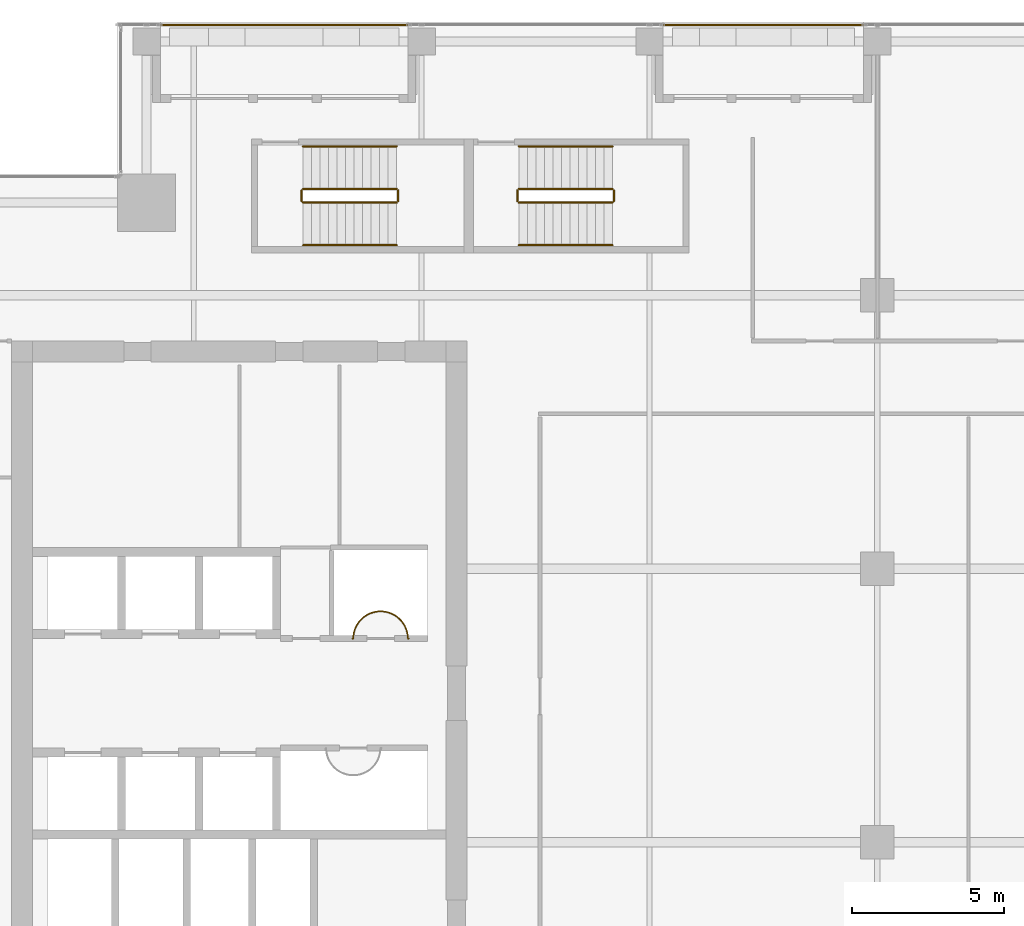
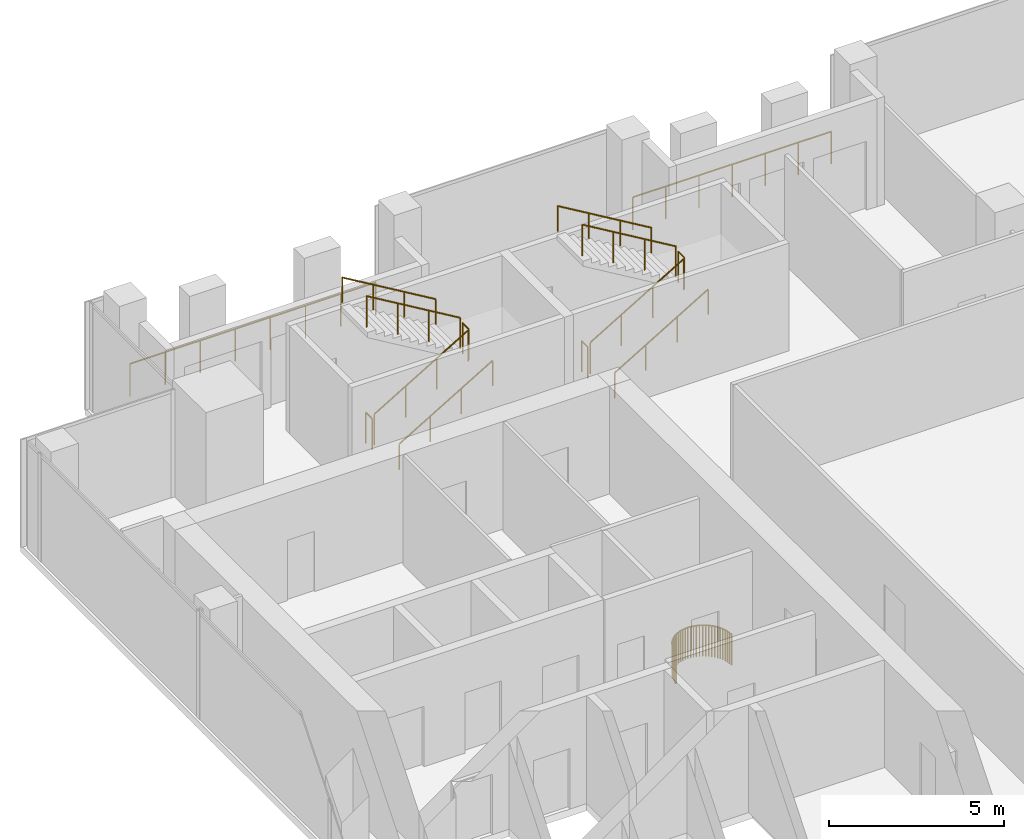
# One storey, part 34 of 35: 15 railings.
"""IFC4 building model written with IfcOpenShell, lengths in metres."""

from ifc_helpers import new_model, si_unit, direction, frame, origin, origin_2d, place, context, subcontext, project, spatial, circle, extrude, source, transform, mapped, material, type_object, element, save


model = new_model("IFC4")

# Units and contexts
model_context = context("Model", 3, precision=1e-05, world=origin(), true_north=direction((0.0, 1.0)))
body_context = subcontext(model_context, "Body", "Model", "MODEL_VIEW")
ifc_project = project(units=[si_unit("LENGTHUNIT", "METRE"), si_unit("AREAUNIT", "SQUARE_METRE"), si_unit("VOLUMEUNIT", "CUBIC_METRE"), si_unit("PLANEANGLEUNIT", "RADIAN"), si_unit("MASSUNIT", "GRAM", prefix="KILO")], contexts=[model_context])

# Site, building, storey
site_placement = place(None, origin())
site = spatial("IfcSite", under=ifc_project, at=site_placement, CompositionType="ELEMENT")
building_placement = place(site_placement, origin())
building = spatial("IfcBuilding", under=site, at=building_placement, Name="Khomas Fold Tower", CompositionType="ELEMENT")
storey_placement = place(building_placement, frame((0.0, 0.0, 270.199951171875)))
storey = spatial("IfcBuildingStorey", under=building, at=storey_placement, Name="L61", CompositionType="ELEMENT", Elevation=270.199951171875)

# Railings
ifc_material_1 = material(Name="Powder-coated steel", Category="steel")
railing_type_1 = type_object("IfcRailingType", Name="Balcony guard", PredefinedType="GUARDRAIL", material=ifc_material_1)
shared_shape_1 = source(origin(), body_context, "Body", "SweptSolid", [
    extrude(circle(Radius=0.02490234375, at=origin_2d()), frame((0.0, 0.0, 1.125), z_axis=(1.0, 0.0, 0.0), x_axis=(0.0, 1.0, 0.0)), (0.0, 0.0, 1.0), 8.090087890625),
    extrude(circle(Radius=0.02001953125, at=origin_2d()), origin(), (0.0, 0.0, 1.0), 1.099853515625),
    extrude(circle(Radius=0.02001953125, at=origin_2d()), frame((1.15576171875, 0.0, 0.0)), (0.0, 0.0, 1.0), 1.099853515625),
    extrude(circle(Radius=0.02001953125, at=origin_2d()), frame((2.3115234375, 0.0, 0.0)), (0.0, 0.0, 1.0), 1.099853515625),
    extrude(circle(Radius=0.02001953125, at=origin_2d()), frame((3.46728515625, 0.0, 0.0)), (0.0, 0.0, 1.0), 1.099853515625),
    extrude(circle(Radius=0.02001953125, at=origin_2d()), frame((4.622802734375, 0.0, 0.0)), (0.0, 0.0, 1.0), 1.099853515625),
    extrude(circle(Radius=0.02001953125, at=origin_2d()), frame((5.778564453125, 0.0, 0.0)), (0.0, 0.0, 1.0), 1.099853515625),
    extrude(circle(Radius=0.02001953125, at=origin_2d()), frame((6.934326171875, 0.0, 0.0)), (0.0, 0.0, 1.0), 1.099853515625),
    extrude(circle(Radius=0.02001953125, at=origin_2d()), frame((8.090087890625, 0.0, 0.0)), (0.0, 0.0, 1.0), 1.099853515625),
])
railing_1_placement = place(storey_placement, frame((10.929931640625, 49.39990234375, -0.044921875)))
element("IfcRailing", 1, at=railing_1_placement, inside=storey, type_object=railing_type_1, Name="Balcony guard BAL-L61-N1", PredefinedType="GUARDRAIL", context=body_context, shape_type="MappedRepresentation", body=[
    mapped(shared_shape_1, transform((0.0, 0.0, 0.0))),
])
shared_shape_2 = source(origin(), body_context, "Body", "SweptSolid", [
    extrude(circle(Radius=0.02490234375, at=origin_2d()), frame((0.0, 0.0, 1.125), z_axis=(1.0, 0.0, 0.0), x_axis=(0.0, 1.0, 0.0)), (0.0, 0.0, 1.0), 6.5400390625),
    extrude(circle(Radius=0.02001953125, at=origin_2d()), origin(), (0.0, 0.0, 1.0), 1.099853515625),
    extrude(circle(Radius=0.02001953125, at=origin_2d()), frame((1.090087890625, 0.0, 0.0)), (0.0, 0.0, 1.0), 1.099853515625),
    extrude(circle(Radius=0.02001953125, at=origin_2d()), frame((2.179931640625, 0.0, 0.0)), (0.0, 0.0, 1.0), 1.099853515625),
    extrude(circle(Radius=0.02001953125, at=origin_2d()), frame((3.27001953125, 0.0, 0.0)), (0.0, 0.0, 1.0), 1.099853515625),
    extrude(circle(Radius=0.02001953125, at=origin_2d()), frame((4.360107421875, 0.0, 0.0)), (0.0, 0.0, 1.0), 1.099853515625),
    extrude(circle(Radius=0.02001953125, at=origin_2d()), frame((5.449951171875, 0.0, 0.0)), (0.0, 0.0, 1.0), 1.099853515625),
    extrude(circle(Radius=0.02001953125, at=origin_2d()), frame((6.5400390625, 0.0, 0.0)), (0.0, 0.0, 1.0), 1.099853515625),
])
railing_2_placement = place(storey_placement, frame((27.47998046875, 49.39990234375, -0.044921875)))
element("IfcRailing", 2, at=railing_2_placement, inside=storey, type_object=railing_type_1, Name="Balcony guard BAL-L61-N3", PredefinedType="GUARDRAIL", context=body_context, shape_type="MappedRepresentation", body=[
    mapped(shared_shape_2, transform((0.0, 0.0, 0.0))),
])
ifc_material_2 = material(Name="Steel balustrade", Category="steel")
railing_type_2 = type_object("IfcRailingType", Name="Stair guard", PredefinedType="GUARDRAIL", material=ifc_material_2)
shared_shape_3 = source(origin(), body_context, "Body", "SweptSolid", [
    extrude(circle(Radius=0.02392578125, at=origin_2d()), frame((0.0, 0.0, 1.076171875), z_axis=(0.0, 1.0, 0.0), x_axis=(-1.0, 0.0, 0.0)), (0.0, 0.0, 1.0), 0.349853515625),
    extrude(circle(Radius=0.02099609375, at=origin_2d()), origin(), (0.0, 0.0, 1.0), 1.052001953125),
    extrude(circle(Radius=0.02099609375, at=origin_2d()), frame((0.0, 0.349853515625, 0.0)), (0.0, 0.0, 1.0), 1.052001953125),
])
for number, where, name in (
    (3, (18.72998046875, 43.60009765625, 2.0), "L61 ST1 stair guard 2"),
    (4, (15.550048828125, 43.60009765625, 0.0), "L61 ST1 stair guard 4"),
    (5, (25.830078125, 43.60009765625, 2.0), "L61 ST3 stair guard 2"),
    (6, (22.64990234375, 43.60009765625, 0.0), "L61 ST3 stair guard 4"),
):
    element("IfcRailing", number, at=place(storey_placement, frame(where)), inside=storey, type_object=railing_type_2, Name=name, PredefinedType="GUARDRAIL", context=body_context, shape_type="MappedRepresentation", body=[
        mapped(shared_shape_3, transform((0.0, 0.0, 0.0))),
    ])
shared_shape_4 = source(origin(), body_context, "Body", "SweptSolid", [
    extrude(circle(Radius=0.02392578125, at=origin_2d()), frame((0.0, 0.0, 1.076171875), z_axis=(0.859290745958, 0.0, 0.51148745235), x_axis=(0.0, 1.0, 0.0)), (0.0, 0.0, 1.0), 3.584228515625),
    extrude(circle(Radius=0.02099609375, at=origin_2d()), origin(), (0.0, 0.0, 1.0), 1.052001953125),
    extrude(circle(Radius=0.02099609375, at=origin_2d()), frame((1.026611328125, 0.0, 0.611083984375)), (0.0, 0.0, 1.0), 1.052001953125),
    extrude(circle(Radius=0.02099609375, at=origin_2d()), frame((2.05322265625, 0.0, 1.22216796875)), (0.0, 0.0, 1.0), 1.052001953125),
    extrude(circle(Radius=0.02099609375, at=origin_2d()), frame((3.079833984375, 0.0, 1.833251953125)), (0.0, 0.0, 1.0), 1.052001953125),
])
railing_3_placement = place(storey_placement, frame((15.60009765625, 43.550048828125, 0.166748046875)))
element("IfcRailing", 7, at=railing_3_placement, inside=storey, type_object=railing_type_2, Name="L61 ST1 stair guard 1", PredefinedType="GUARDRAIL", context=body_context, shape_type="MappedRepresentation", body=[
    mapped(shared_shape_4, transform((0.0, 0.0, 0.0))),
])
shared_shape_5 = source(origin(), body_context, "Body", "SweptSolid", [
    extrude(circle(Radius=0.02392578125, at=origin_2d()), frame((0.0, 0.0, 1.076171875), z_axis=(-0.859290745958, 0.0, 0.51148745235), x_axis=(0.0, -1.0, 0.0)), (0.0, 0.0, 1.0), 3.584228515625),
    extrude(circle(Radius=0.02099609375, at=origin_2d()), origin(), (0.0, 0.0, 1.0), 1.052001953125),
    extrude(circle(Radius=0.02099609375, at=origin_2d()), frame((-1.026611328125, 0.0, 0.611083984375)), (0.0, 0.0, 1.0), 1.052001953125),
    extrude(circle(Radius=0.02099609375, at=origin_2d()), frame((-2.05322265625, 0.0, 1.22216796875)), (0.0, 0.0, 1.0), 1.052001953125),
    extrude(circle(Radius=0.02099609375, at=origin_2d()), frame((-3.079833984375, 0.0, 1.833251953125)), (0.0, 0.0, 1.0), 1.052001953125),
])
railing_4_placement = place(storey_placement, frame((18.679931640625, 44.0, 2.166748046875)))
element("IfcRailing", 8, at=railing_4_placement, inside=storey, type_object=railing_type_2, Name="L61 ST1 stair guard 3", PredefinedType="GUARDRAIL", context=body_context, shape_type="MappedRepresentation", body=[
    mapped(shared_shape_5, transform((0.0, 0.0, 0.0))),
])
ifc_material_3 = material(Name="Steel handrail", Category="steel")
railing_type_3 = type_object("IfcRailingType", Name="Stair handrail", PredefinedType="HANDRAIL", material=ifc_material_3)
shared_shape_6 = source(origin(), body_context, "Body", "SweptSolid", [
    extrude(circle(Radius=0.02392578125, at=origin_2d()), frame((0.0, 0.0, 0.8759765625), z_axis=(0.859290745958, 0.0, 0.51148745235), x_axis=(0.0, 1.0, 0.0)), (0.0, 0.0, 1.0), 3.584228515625),
    extrude(circle(Radius=0.02099609375, at=origin_2d()), origin(), (0.0, 0.0, 1.0), 0.851806640625),
    extrude(circle(Radius=0.02099609375, at=origin_2d()), frame((1.026611328125, 0.0, 0.611083984375)), (0.0, 0.0, 1.0), 0.851806640625),
    extrude(circle(Radius=0.02099609375, at=origin_2d()), frame((2.05322265625, 0.0, 1.22216796875)), (0.0, 0.0, 1.0), 0.851806640625),
    extrude(circle(Radius=0.02099609375, at=origin_2d()), frame((3.079833984375, 0.0, 1.833251953125)), (0.0, 0.0, 1.0), 0.851806640625),
])
railing_5_placement = place(storey_placement, frame((15.60009765625, 42.14990234375, 0.166748046875)))
element("IfcRailing", 9, at=railing_5_placement, inside=storey, type_object=railing_type_3, Name="L61 ST1 stair handrail 1", PredefinedType="HANDRAIL", context=body_context, shape_type="MappedRepresentation", body=[
    mapped(shared_shape_6, transform((0.0, 0.0, 0.0))),
])
shared_shape_7 = source(origin(), body_context, "Body", "SweptSolid", [
    extrude(circle(Radius=0.02392578125, at=origin_2d()), frame((0.0, 0.0, 0.8759765625), z_axis=(-0.859290745958, 0.0, 0.51148745235), x_axis=(0.0, -1.0, 0.0)), (0.0, 0.0, 1.0), 3.584228515625),
    extrude(circle(Radius=0.02099609375, at=origin_2d()), origin(), (0.0, 0.0, 1.0), 0.851806640625),
    extrude(circle(Radius=0.02099609375, at=origin_2d()), frame((-1.026611328125, 0.0, 0.611083984375)), (0.0, 0.0, 1.0), 0.851806640625),
    extrude(circle(Radius=0.02099609375, at=origin_2d()), frame((-2.05322265625, 0.0, 1.22216796875)), (0.0, 0.0, 1.0), 0.851806640625),
    extrude(circle(Radius=0.02099609375, at=origin_2d()), frame((-3.079833984375, 0.0, 1.833251953125)), (0.0, 0.0, 1.0), 0.851806640625),
])
railing_6_placement = place(storey_placement, frame((18.679931640625, 45.39990234375, 2.166748046875)))
element("IfcRailing", 10, at=railing_6_placement, inside=storey, type_object=railing_type_3, Name="L61 ST1 stair handrail 2", PredefinedType="HANDRAIL", context=body_context, shape_type="MappedRepresentation", body=[
    mapped(shared_shape_7, transform((0.0, 0.0, 0.0))),
])
shared_shape_8 = source(origin(), body_context, "Body", "SweptSolid", [
    extrude(circle(Radius=0.02392578125, at=origin_2d()), frame((0.0, 0.0, 1.076171875), z_axis=(0.859308565015, 0.0, 0.511457515432), x_axis=(0.0, 1.0, 0.0)), (0.0, 0.0, 1.0), 3.58447265625),
    extrude(circle(Radius=0.02099609375, at=origin_2d()), origin(), (0.0, 0.0, 1.0), 1.052001953125),
    extrude(circle(Radius=0.02099609375, at=origin_2d()), frame((1.026611328125, 0.0, 0.611083984375)), (0.0, 0.0, 1.0), 1.052001953125),
    extrude(circle(Radius=0.02099609375, at=origin_2d()), frame((2.053466796875, 0.0, 1.22216796875)), (0.0, 0.0, 1.0), 1.052001953125),
    extrude(circle(Radius=0.02099609375, at=origin_2d()), frame((3.080078125, 0.0, 1.833251953125)), (0.0, 0.0, 1.0), 1.052001953125),
])
railing_7_placement = place(storey_placement, frame((22.699951171875, 43.550048828125, 0.166748046875)))
element("IfcRailing", 11, at=railing_7_placement, inside=storey, type_object=railing_type_2, Name="L61 ST3 stair guard 1", PredefinedType="GUARDRAIL", context=body_context, shape_type="MappedRepresentation", body=[
    mapped(shared_shape_8, transform((0.0, 0.0, 0.0))),
])
shared_shape_9 = source(origin(), body_context, "Body", "SweptSolid", [
    extrude(circle(Radius=0.02392578125, at=origin_2d()), frame((0.0, 0.0, 1.076171875), z_axis=(-0.859308565015, 0.0, 0.511457515432), x_axis=(0.0, -1.0, 0.0)), (0.0, 0.0, 1.0), 3.58447265625),
    extrude(circle(Radius=0.02099609375, at=origin_2d()), origin(), (0.0, 0.0, 1.0), 1.052001953125),
    extrude(circle(Radius=0.02099609375, at=origin_2d()), frame((-1.026611328125, 0.0, 0.611083984375)), (0.0, 0.0, 1.0), 1.052001953125),
    extrude(circle(Radius=0.02099609375, at=origin_2d()), frame((-2.053466796875, 0.0, 1.22216796875)), (0.0, 0.0, 1.0), 1.052001953125),
    extrude(circle(Radius=0.02099609375, at=origin_2d()), frame((-3.080078125, 0.0, 1.833251953125)), (0.0, 0.0, 1.0), 1.052001953125),
])
railing_8_placement = place(storey_placement, frame((25.780029296875, 44.0, 2.166748046875)))
element("IfcRailing", 12, at=railing_8_placement, inside=storey, type_object=railing_type_2, Name="L61 ST3 stair guard 3", PredefinedType="GUARDRAIL", context=body_context, shape_type="MappedRepresentation", body=[
    mapped(shared_shape_9, transform((0.0, 0.0, 0.0))),
])
shared_shape_10 = source(origin(), body_context, "Body", "SweptSolid", [
    extrude(circle(Radius=0.02392578125, at=origin_2d()), frame((0.0, 0.0, 0.8759765625), z_axis=(0.859308565015, 0.0, 0.511457515432), x_axis=(0.0, 1.0, 0.0)), (0.0, 0.0, 1.0), 3.58447265625),
    extrude(circle(Radius=0.02099609375, at=origin_2d()), origin(), (0.0, 0.0, 1.0), 0.851806640625),
    extrude(circle(Radius=0.02099609375, at=origin_2d()), frame((1.026611328125, 0.0, 0.611083984375)), (0.0, 0.0, 1.0), 0.851806640625),
    extrude(circle(Radius=0.02099609375, at=origin_2d()), frame((2.053466796875, 0.0, 1.22216796875)), (0.0, 0.0, 1.0), 0.851806640625),
    extrude(circle(Radius=0.02099609375, at=origin_2d()), frame((3.080078125, 0.0, 1.833251953125)), (0.0, 0.0, 1.0), 0.851806640625),
])
railing_9_placement = place(storey_placement, frame((22.699951171875, 42.14990234375, 0.166748046875)))
element("IfcRailing", 13, at=railing_9_placement, inside=storey, type_object=railing_type_3, Name="L61 ST3 stair handrail 1", PredefinedType="HANDRAIL", context=body_context, shape_type="MappedRepresentation", body=[
    mapped(shared_shape_10, transform((0.0, 0.0, 0.0))),
])
shared_shape_11 = source(origin(), body_context, "Body", "SweptSolid", [
    extrude(circle(Radius=0.02392578125, at=origin_2d()), frame((0.0, 0.0, 0.8759765625), z_axis=(-0.859308565015, 0.0, 0.511457515432), x_axis=(0.0, -1.0, 0.0)), (0.0, 0.0, 1.0), 3.58447265625),
    extrude(circle(Radius=0.02099609375, at=origin_2d()), origin(), (0.0, 0.0, 1.0), 0.851806640625),
    extrude(circle(Radius=0.02099609375, at=origin_2d()), frame((-1.026611328125, 0.0, 0.611083984375)), (0.0, 0.0, 1.0), 0.851806640625),
    extrude(circle(Radius=0.02099609375, at=origin_2d()), frame((-2.053466796875, 0.0, 1.22216796875)), (0.0, 0.0, 1.0), 0.851806640625),
    extrude(circle(Radius=0.02099609375, at=origin_2d()), frame((-3.080078125, 0.0, 1.833251953125)), (0.0, 0.0, 1.0), 0.851806640625),
])
railing_10_placement = place(storey_placement, frame((25.780029296875, 45.39990234375, 2.166748046875)))
element("IfcRailing", 14, at=railing_10_placement, inside=storey, type_object=railing_type_3, Name="L61 ST3 stair handrail 2", PredefinedType="HANDRAIL", context=body_context, shape_type="MappedRepresentation", body=[
    mapped(shared_shape_11, transform((0.0, 0.0, 0.0))),
])
ifc_material_4 = material(Name="Steel balustrade", Category="steel")
railing_type_4 = type_object("IfcRailingType", Name="Shaft guard", PredefinedType="GUARDRAIL", material=ifc_material_4)
shared_shape_12 = source(origin(), body_context, "Body", "SweptSolid", [
    extrude(circle(Radius=0.02490234375, at=origin_2d()), frame((0.0, 0.0, 1.0751953125), z_axis=(-1.0, 0.0, 0.0), x_axis=(0.0, -1.0, 0.0)), (0.0, 0.0, 1.0), 0.030029296875),
    extrude(circle(Radius=0.02490234375, at=origin_2d()), frame((-0.030029296875, 0.0, 1.0751953125), z_axis=(-0.049799629132, 0.998759228712, 0.0), x_axis=(-0.998759228712, -0.049799629132, 0.0)), (0.0, 0.0, 1.0), 0.088134765625),
    extrude(circle(Radius=0.02490234375, at=origin_2d()), frame((-0.034423828125, 0.088134765625, 1.0751953125), z_axis=(-0.146448518259, 0.989218293148, 0.0), x_axis=(-0.989218293148, -0.146448518259, 0.0)), (0.0, 0.0, 1.0), 0.08837890625),
    extrude(circle(Radius=0.02490234375, at=origin_2d()), frame((-0.04736328125, 0.175537109375, 1.0751953125), z_axis=(-0.243185799972, 0.969979724887, 0.0), x_axis=(-0.969979724887, -0.243185799972, 0.0)), (0.0, 0.0, 1.0), 0.08837890625),
    extrude(circle(Radius=0.02490234375, at=origin_2d()), frame((-0.06884765625, 0.26123046875, 1.0751953125), z_axis=(-0.336861089454, 0.941554356589, 0.0), x_axis=(-0.941554356589, -0.336861089454, 0.0)), (0.0, 0.0, 1.0), 0.08837890625),
    extrude(circle(Radius=0.02490234375, at=origin_2d()), frame((-0.0986328125, 0.344482421875, 1.0751953125), z_axis=(-0.428323905606, 0.903625271828, 0.0), x_axis=(-0.903625271828, -0.428323905606, 0.0)), (0.0, 0.0, 1.0), 0.08837890625),
    extrude(circle(Radius=0.02490234375, at=origin_2d()), frame((-0.136474609375, 0.42431640625, 1.0751953125), z_axis=(-0.514495755428, 0.857492925713, 0.0), x_axis=(-0.857492925713, -0.514495755428, 0.0)), (0.0, 0.0, 1.0), 0.08837890625),
    extrude(circle(Radius=0.02490234375, at=origin_2d()), frame((-0.181884765625, 0.5, 1.0751953125), z_axis=(-0.594235623595, 0.804291006819, 0.0), x_axis=(-0.804291006819, -0.594235623595, 0.0)), (0.0, 0.0, 1.0), 0.08837890625),
    extrude(circle(Radius=0.02490234375, at=origin_2d()), frame((-0.234375, 0.571044921875, 1.0751953125), z_axis=(-0.671709119666, 0.740814996175, 0.0), x_axis=(-0.740814996175, -0.671709119666, 0.0)), (0.0, 0.0, 1.0), 0.08837890625),
    extrude(circle(Radius=0.02490234375, at=origin_2d()), frame((-0.293701171875, 0.636474609375, 1.0751953125), z_axis=(-0.740814996175, 0.671709119666, 0.0), x_axis=(-0.671709119666, -0.740814996175, 0.0)), (0.0, 0.0, 1.0), 0.08837890625),
    extrude(circle(Radius=0.02490234375, at=origin_2d()), frame((-0.359130859375, 0.69580078125, 1.0751953125), z_axis=(-0.804291006819, 0.594235623595, 0.0), x_axis=(-0.594235623595, -0.804291006819, 0.0)), (0.0, 0.0, 1.0), 0.08837890625),
    extrude(circle(Radius=0.02490234375, at=origin_2d()), frame((-0.43017578125, 0.748291015625, 1.0751953125), z_axis=(-0.857492925713, 0.514495755428, 0.0), x_axis=(-0.514495755428, -0.857492925713, 0.0)), (0.0, 0.0, 1.0), 0.08837890625),
    extrude(circle(Radius=0.02490234375, at=origin_2d()), frame((-0.505859375, 0.793701171875, 1.0751953125), z_axis=(-0.903625271828, 0.428323905606, 0.0), x_axis=(-0.428323905606, -0.903625271828, 0.0)), (0.0, 0.0, 1.0), 0.08837890625),
    extrude(circle(Radius=0.02490234375, at=origin_2d()), frame((-0.585693359375, 0.83154296875, 1.0751953125), z_axis=(-0.941239807302, 0.337738989679, 0.0), x_axis=(-0.337738989679, -0.941239807302, 0.0)), (0.0, 0.0, 1.0), 0.088134765625),
    extrude(circle(Radius=0.02490234375, at=origin_2d()), frame((-0.668701171875, 0.861328125, 1.0751953125), z_axis=(-0.969979724887, 0.243185799972, 0.0), x_axis=(-0.243185799972, -0.969979724887, 0.0)), (0.0, 0.0, 1.0), 0.08837890625),
    extrude(circle(Radius=0.02490234375, at=origin_2d()), frame((-0.75439453125, 0.8828125, 1.0751953125), z_axis=(-0.989218293148, 0.146448518259, 0.0), x_axis=(-0.146448518259, -0.989218293148, 0.0)), (0.0, 0.0, 1.0), 0.08837890625),
    extrude(circle(Radius=0.02490234375, at=origin_2d()), frame((-0.841796875, 0.895751953125, 1.0751953125), z_axis=(-0.998766061669, 0.049662400856, 0.0), x_axis=(-0.049662400856, -0.998766061669, 0.0)), (0.0, 0.0, 1.0), 0.08837890625),
    extrude(circle(Radius=0.02490234375, at=origin_2d()), frame((-0.93017578125, 0.900146484375, 1.0751953125), z_axis=(-0.998759228712, -0.049799629132, 0.0), x_axis=(0.049799629132, -0.998759228712, 0.0)), (0.0, 0.0, 1.0), 0.088134765625),
    extrude(circle(Radius=0.02490234375, at=origin_2d()), frame((-1.018310546875, 0.895751953125, 1.0751953125), z_axis=(-0.989218293148, -0.146448518259, 0.0), x_axis=(0.146448518259, -0.989218293148, 0.0)), (0.0, 0.0, 1.0), 0.08837890625),
    extrude(circle(Radius=0.02490234375, at=origin_2d()), frame((-1.105712890625, 0.8828125, 1.0751953125), z_axis=(-0.969979724887, -0.243185799972, 0.0), x_axis=(0.243185799972, -0.969979724887, 0.0)), (0.0, 0.0, 1.0), 0.08837890625),
    extrude(circle(Radius=0.02490234375, at=origin_2d()), frame((-1.19140625, 0.861328125, 1.0751953125), z_axis=(-0.941239807302, -0.337738989679, 0.0), x_axis=(0.337738989679, -0.941239807302, 0.0)), (0.0, 0.0, 1.0), 0.088134765625),
    extrude(circle(Radius=0.02490234375, at=origin_2d()), frame((-1.2744140625, 0.83154296875, 1.0751953125), z_axis=(-0.904130352346, -0.427256721383, 0.0), x_axis=(0.427256721383, -0.904130352346, 0.0)), (0.0, 0.0, 1.0), 0.088623046875),
    extrude(circle(Radius=0.02490234375, at=origin_2d()), frame((-1.3544921875, 0.793701171875, 1.0751953125), z_axis=(-0.857492925713, -0.514495755428, 0.0), x_axis=(0.514495755428, -0.857492925713, 0.0)), (0.0, 0.0, 1.0), 0.08837890625),
    extrude(circle(Radius=0.02490234375, at=origin_2d()), frame((-1.43017578125, 0.748291015625, 1.0751953125), z_axis=(-0.803311771616, -0.595558727233, 0.0), x_axis=(0.595558727233, -0.803311771616, 0.0)), (0.0, 0.0, 1.0), 0.088134765625),
    extrude(circle(Radius=0.02490234375, at=origin_2d()), frame((-1.5009765625, 0.69580078125, 1.0751953125), z_axis=(-0.740814996175, -0.671709119666, 0.0), x_axis=(0.671709119666, -0.740814996175, 0.0)), (0.0, 0.0, 1.0), 0.08837890625),
    extrude(circle(Radius=0.02490234375, at=origin_2d()), frame((-1.56640625, 0.636474609375, 1.0751953125), z_axis=(-0.671709119666, -0.740814996175, 0.0), x_axis=(0.740814996175, -0.671709119666, 0.0)), (0.0, 0.0, 1.0), 0.08837890625),
    extrude(circle(Radius=0.02490234375, at=origin_2d()), frame((-1.625732421875, 0.571044921875, 1.0751953125), z_axis=(-0.596019138224, -0.802970227885, 0.0), x_axis=(0.802970227885, -0.596019138224, 0.0)), (0.0, 0.0, 1.0), 0.08837890625),
    extrude(circle(Radius=0.02490234375, at=origin_2d()), frame((-1.678466796875, 0.5, 1.0751953125), z_axis=(-0.514495755428, -0.857492925713, 0.0), x_axis=(0.857492925713, -0.514495755428, 0.0)), (0.0, 0.0, 1.0), 0.08837890625),
    extrude(circle(Radius=0.02490234375, at=origin_2d()), frame((-1.723876953125, 0.42431640625, 1.0751953125), z_axis=(-0.426063493689, -0.904693262573, 0.0), x_axis=(0.904693262573, -0.426063493689, 0.0)), (0.0, 0.0, 1.0), 0.088134765625),
    extrude(circle(Radius=0.02490234375, at=origin_2d()), frame((-1.761474609375, 0.344482421875, 1.0751953125), z_axis=(-0.336861089454, -0.941554356589, 0.0), x_axis=(0.941554356589, -0.336861089454, 0.0)), (0.0, 0.0, 1.0), 0.08837890625),
    extrude(circle(Radius=0.02490234375, at=origin_2d()), frame((-1.791259765625, 0.26123046875, 1.0751953125), z_axis=(-0.243185799972, -0.969979724887, 0.0), x_axis=(0.969979724887, -0.243185799972, 0.0)), (0.0, 0.0, 1.0), 0.08837890625),
    extrude(circle(Radius=0.02490234375, at=origin_2d()), frame((-1.812744140625, 0.175537109375, 1.0751953125), z_axis=(-0.146448518259, -0.989218293148, 0.0), x_axis=(0.989218293148, -0.146448518259, 0.0)), (0.0, 0.0, 1.0), 0.08837890625),
    extrude(circle(Radius=0.02490234375, at=origin_2d()), frame((-1.82568359375, 0.088134765625, 1.0751953125), z_axis=(-0.049799629132, -0.998759228712, 0.0), x_axis=(0.998759228712, -0.049799629132, 0.0)), (0.0, 0.0, 1.0), 0.088134765625),
    extrude(circle(Radius=0.02490234375, at=origin_2d()), frame((-1.830078125, 0.0, 1.0751953125), z_axis=(-1.0, 0.0, 0.0), x_axis=(0.0, -1.0, 0.0)), (0.0, 0.0, 1.0), 0.030029296875),
    extrude(circle(Radius=0.02001953125, at=origin_2d()), origin(), (0.0, 0.0, 1.0), 1.050048828125),
    extrude(circle(Radius=0.02001953125, at=origin_2d()), frame((-0.030029296875, 0.0, 0.0)), (0.0, 0.0, 1.0), 1.050048828125),
    extrude(circle(Radius=0.02001953125, at=origin_2d()), frame((-0.034423828125, 0.088134765625, 0.0)), (0.0, 0.0, 1.0), 1.050048828125),
    extrude(circle(Radius=0.02001953125, at=origin_2d()), frame((-0.04736328125, 0.175537109375, 0.0)), (0.0, 0.0, 1.0), 1.050048828125),
    extrude(circle(Radius=0.02001953125, at=origin_2d()), frame((-0.06884765625, 0.26123046875, 0.0)), (0.0, 0.0, 1.0), 1.050048828125),
    extrude(circle(Radius=0.02001953125, at=origin_2d()), frame((-0.0986328125, 0.344482421875, 0.0)), (0.0, 0.0, 1.0), 1.050048828125),
    extrude(circle(Radius=0.02001953125, at=origin_2d()), frame((-0.136474609375, 0.42431640625, 0.0)), (0.0, 0.0, 1.0), 1.050048828125),
    extrude(circle(Radius=0.02001953125, at=origin_2d()), frame((-0.181884765625, 0.5, 0.0)), (0.0, 0.0, 1.0), 1.050048828125),
    extrude(circle(Radius=0.02001953125, at=origin_2d()), frame((-0.234375, 0.571044921875, 0.0)), (0.0, 0.0, 1.0), 1.050048828125),
    extrude(circle(Radius=0.02001953125, at=origin_2d()), frame((-0.293701171875, 0.636474609375, 0.0)), (0.0, 0.0, 1.0), 1.050048828125),
    extrude(circle(Radius=0.02001953125, at=origin_2d()), frame((-0.359130859375, 0.69580078125, 0.0)), (0.0, 0.0, 1.0), 1.050048828125),
    extrude(circle(Radius=0.02001953125, at=origin_2d()), frame((-0.43017578125, 0.748291015625, 0.0)), (0.0, 0.0, 1.0), 1.050048828125),
    extrude(circle(Radius=0.02001953125, at=origin_2d()), frame((-0.505859375, 0.793701171875, 0.0)), (0.0, 0.0, 1.0), 1.050048828125),
    extrude(circle(Radius=0.02001953125, at=origin_2d()), frame((-0.585693359375, 0.83154296875, 0.0)), (0.0, 0.0, 1.0), 1.050048828125),
    extrude(circle(Radius=0.02001953125, at=origin_2d()), frame((-0.668701171875, 0.861328125, 0.0)), (0.0, 0.0, 1.0), 1.050048828125),
    extrude(circle(Radius=0.02001953125, at=origin_2d()), frame((-0.75439453125, 0.8828125, 0.0)), (0.0, 0.0, 1.0), 1.050048828125),
    extrude(circle(Radius=0.02001953125, at=origin_2d()), frame((-0.841796875, 0.895751953125, 0.0)), (0.0, 0.0, 1.0), 1.050048828125),
    extrude(circle(Radius=0.02001953125, at=origin_2d()), frame((-0.93017578125, 0.900146484375, 0.0)), (0.0, 0.0, 1.0), 1.050048828125),
    extrude(circle(Radius=0.02001953125, at=origin_2d()), frame((-1.018310546875, 0.895751953125, 0.0)), (0.0, 0.0, 1.0), 1.050048828125),
    extrude(circle(Radius=0.02001953125, at=origin_2d()), frame((-1.105712890625, 0.8828125, 0.0)), (0.0, 0.0, 1.0), 1.050048828125),
    extrude(circle(Radius=0.02001953125, at=origin_2d()), frame((-1.19140625, 0.861328125, 0.0)), (0.0, 0.0, 1.0), 1.050048828125),
    extrude(circle(Radius=0.02001953125, at=origin_2d()), frame((-1.2744140625, 0.83154296875, 0.0)), (0.0, 0.0, 1.0), 1.050048828125),
    extrude(circle(Radius=0.02001953125, at=origin_2d()), frame((-1.3544921875, 0.793701171875, 0.0)), (0.0, 0.0, 1.0), 1.050048828125),
    extrude(circle(Radius=0.02001953125, at=origin_2d()), frame((-1.43017578125, 0.748291015625, 0.0)), (0.0, 0.0, 1.0), 1.050048828125),
    extrude(circle(Radius=0.02001953125, at=origin_2d()), frame((-1.5009765625, 0.69580078125, 0.0)), (0.0, 0.0, 1.0), 1.050048828125),
    extrude(circle(Radius=0.02001953125, at=origin_2d()), frame((-1.56640625, 0.636474609375, 0.0)), (0.0, 0.0, 1.0), 1.050048828125),
    extrude(circle(Radius=0.02001953125, at=origin_2d()), frame((-1.625732421875, 0.571044921875, 0.0)), (0.0, 0.0, 1.0), 1.050048828125),
    extrude(circle(Radius=0.02001953125, at=origin_2d()), frame((-1.678466796875, 0.5, 0.0)), (0.0, 0.0, 1.0), 1.050048828125),
    extrude(circle(Radius=0.02001953125, at=origin_2d()), frame((-1.723876953125, 0.42431640625, 0.0)), (0.0, 0.0, 1.0), 1.050048828125),
    extrude(circle(Radius=0.02001953125, at=origin_2d()), frame((-1.761474609375, 0.344482421875, 0.0)), (0.0, 0.0, 1.0), 1.050048828125),
    extrude(circle(Radius=0.02001953125, at=origin_2d()), frame((-1.791259765625, 0.26123046875, 0.0)), (0.0, 0.0, 1.0), 1.050048828125),
    extrude(circle(Radius=0.02001953125, at=origin_2d()), frame((-1.812744140625, 0.175537109375, 0.0)), (0.0, 0.0, 1.0), 1.050048828125),
    extrude(circle(Radius=0.02001953125, at=origin_2d()), frame((-1.82568359375, 0.088134765625, 0.0)), (0.0, 0.0, 1.0), 1.050048828125),
    extrude(circle(Radius=0.02001953125, at=origin_2d()), frame((-1.830078125, 0.0, 0.0)), (0.0, 0.0, 1.0), 1.050048828125),
    extrude(circle(Radius=0.02001953125, at=origin_2d()), frame((-1.860107421875, 0.0, 0.0)), (0.0, 0.0, 1.0), 1.050048828125),
])
railing_11_placement = place(storey_placement, frame((19.080078125, 29.199951171875, 0.0)))
element("IfcRailing", 15, at=railing_11_placement, inside=storey, type_object=railing_type_4, Name="Shaft guard L61 3", PredefinedType="GUARDRAIL", context=body_context, shape_type="MappedRepresentation", body=[
    mapped(shared_shape_12, transform((0.0, 0.0, 0.0))),
])

save(model, "model.ifc")
